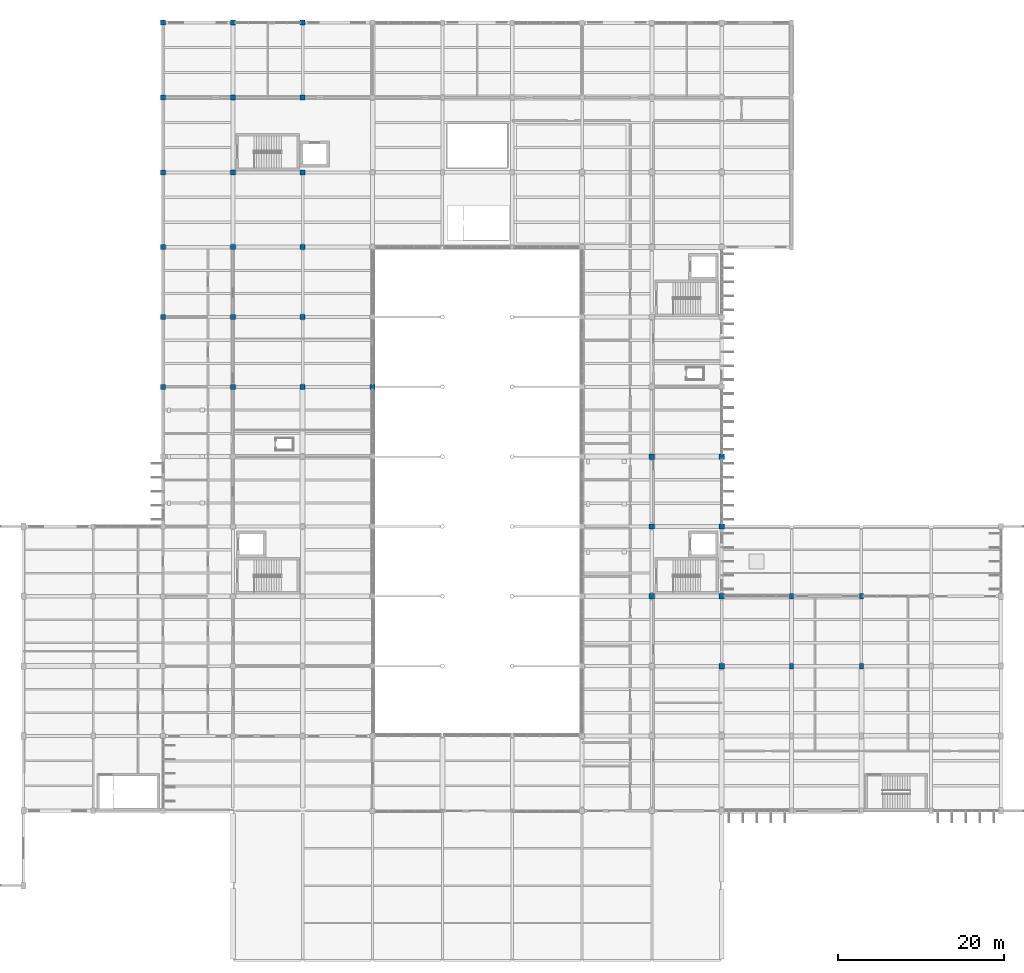
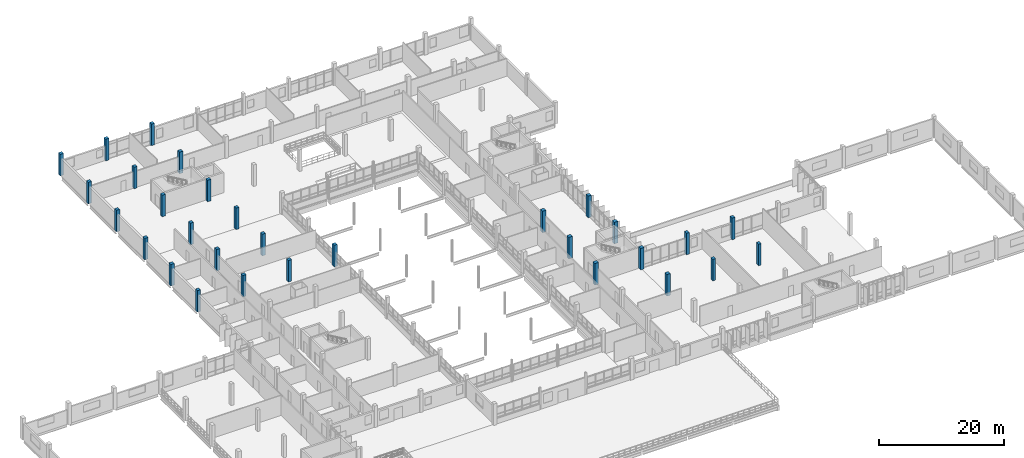
# One storey, part 5 of 101: 30 columns.
"""IFC4 building model written with IfcOpenShell, lengths in metres."""

from ifc_helpers import new_model, si_unit, direction, frame, origin, origin_2d, place, context, subcontext, project, spatial, rectangle, extrude, material, material_profile, profile_set, type_object, element, save


model = new_model("IFC4")

# Units and contexts
model_context = context("Model", 3, precision=1e-05, world=origin(), true_north=direction((0.0, 1.0)))
body_context = subcontext(model_context, "Body", "Model", "MODEL_VIEW")
ifc_project = project(units=[si_unit("LENGTHUNIT", "METRE"), si_unit("AREAUNIT", "SQUARE_METRE"), si_unit("VOLUMEUNIT", "CUBIC_METRE"), si_unit("PLANEANGLEUNIT", "RADIAN"), si_unit("MASSUNIT", "GRAM", prefix="KILO")], contexts=[model_context])

# Site, building, storey
site_placement = place(None, origin())
site = spatial("IfcSite", under=ifc_project, at=site_placement, CompositionType="ELEMENT")
building_placement = place(site_placement, origin())
building = spatial("IfcBuilding", under=site, at=building_placement, Name="Vireocrest Preparatory School", CompositionType="ELEMENT")
storey_placement = place(building_placement, frame((0.0, 0.0, 4.800048828125)))
storey = spatial("IfcBuildingStorey", under=building, at=storey_placement, Name="L01", CompositionType="ELEMENT", Elevation=4.800048828125)

# Columns
ifc_material = material(Name="Concrete 45 MPa", Category="concrete")
ifc_material_profile_1 = material_profile(ifc_material, rectangle(XDim=0.60009765625, YDim=0.60009765625, at=origin_2d()), Name="RC 600x600")
ifc_profile_set_1 = profile_set([ifc_material_profile_1], Name="Concrete 45 MPa")
column_type_1 = type_object("IfcColumnType", Name="RC Column 600x600", PredefinedType="COLUMN", material=ifc_profile_set_1)
for number, where, z_axis, x_axis, name in (
    (1, (42.0, 69.0, 0.0), (0.0, 0.0, 1.0), (1.0, 0.0, 0.0), "Column C05 L01 6/J"),
    (2, (42.0, 77.39990234375, 0.0), (0.0, 0.0, 1.0), (1.0, 0.0, 0.0), "Column C05 L01 6/K"),
    (3, (42.0, 85.800048828125, 0.0), (0.0, 0.0, 1.0), (1.0, 0.0, 0.0), "Column C05 L01 6/L"),
    (4, (42.0, 94.800048828125, 0.0), (0.0, 0.0, 1.0), (1.0, 0.0, 0.0), "Column C05 L01 6/M"),
    (5, (42.0, 103.800048828125, 0.0), (0.0, 0.0, 1.0), (1.0, 0.0, 0.0), "Column C05 L01 6/N"),
    (6, (42.0, 112.800048828125, 0.0), (0.0, 0.0, 1.0), (1.0, 0.0, 0.0), "Column C05 L01 6/P"),
    (7, (50.39990234375, 69.0, 0.0), (0.0, 0.0, 1.0), (1.0, 0.0, 0.0), "Column C05 L01 7/J"),
    (8, (50.39990234375, 77.39990234375, 0.0), (0.0, 0.0, 1.0), (1.0, 0.0, 0.0), "Column C05 L01 7/K"),
    (9, (50.39990234375, 85.800048828125, 0.0), (0.0, 0.0, 1.0), (1.0, 0.0, 0.0), "Column C05 L01 7/L"),
    (10, (50.39990234375, 94.800048828125, 0.0), (0.0, 0.0, 1.0), (1.0, 0.0, 0.0), "Column C05 L01 7/M"),
    (11, (50.39990234375, 103.800048828125, 0.0), (0.0, 0.0, 1.0), (1.0, 0.0, 0.0), "Column C05 L01 7/N"),
    (12, (50.39990234375, 112.800048828125, 0.0), (0.0, 0.0, 1.0), (1.0, 0.0, 0.0), "Column C05 L01 7/P"),
    (13, (58.800048828125, 69.0, 0.0), (0.0, 0.0, 1.0), (1.0, 0.0, 0.0), "Column C05 L01 8/J"),
    (14, (58.800048828125, 77.39990234375, 0.0), (0.0, 0.0, 1.0), (1.0, 0.0, 0.0), "Column C05 L01 8/K"),
    (15, (58.800048828125, 85.800048828125, 0.0), (0.0, 0.0, 1.0), (1.0, 0.0, 0.0), "Column C05 L01 8/L"),
    (16, (58.800048828125, 94.800048828125, 0.0), (0.0, 0.0, 1.0), (1.0, 0.0, 0.0), "Column C05 L01 8/M"),
    (17, (58.800048828125, 103.800048828125, 0.0), (0.0, 0.0, 1.0), (1.0, 0.0, 0.0), "Column C05 L01 8/N"),
    (18, (58.800048828125, 112.800048828125, 0.0), (0.0, 0.0, 1.0), (1.0, 0.0, 0.0), "Column C05 L01 8/P"),
    (19, (67.199951171875, 69.0, 0.0), (0.0, 0.0, 1.0), (1.0, 0.0, 0.0), "Column C05 L01 9/J"),
):
    element("IfcColumn", number, at=place(storey_placement, frame(where, z_axis=z_axis, x_axis=x_axis)), inside=storey, type_object=column_type_1, Name=name, PredefinedType="COLUMN", context=body_context, shape_type="SweptSolid", body=[
        extrude(rectangle(XDim=0.60009765625, YDim=0.60009765625, at=origin_2d()), origin(), (0.0, 0.0, 1.0), 4.199951171875),
    ])
ifc_material_profile_2 = material_profile(ifc_material, rectangle(XDim=0.64990234375, YDim=0.64990234375, at=origin_2d()), Name="RC 650x650")
ifc_profile_set_2 = profile_set([ifc_material_profile_2], Name="Concrete 45 MPa")
column_type_2 = type_object("IfcColumnType", Name="RC Column 650x650", PredefinedType="COLUMN", material=ifc_profile_set_2)
for number, where, z_axis, x_axis, name in (
    (20, (100.800048828125, 43.800048828125, 0.0), (0.0, 0.0, 1.0), (1.0, 0.0, 0.0), "Column C06 L01 13/F"),
    (21, (100.800048828125, 52.199951171875, 0.0), (0.0, 0.0, 1.0), (1.0, 0.0, 0.0), "Column C06 L01 13/G"),
    (22, (100.800048828125, 60.60009765625, 0.0), (0.0, 0.0, 1.0), (1.0, 0.0, 0.0), "Column C06 L01 13/H"),
    (23, (109.199951171875, 35.39990234375, 0.0), (0.0, 0.0, 1.0), (1.0, 0.0, 0.0), "Column C06 L01 14/E"),
    (24, (109.199951171875, 43.800048828125, 0.0), (0.0, 0.0, 1.0), (1.0, 0.0, 0.0), "Column C06 L01 14/F"),
    (25, (109.199951171875, 52.199951171875, 0.0), (0.0, 0.0, 1.0), (1.0, 0.0, 0.0), "Column C06 L01 14/G"),
    (26, (109.199951171875, 60.60009765625, 0.0), (0.0, 0.0, 1.0), (1.0, 0.0, 0.0), "Column C06 L01 14/H"),
):
    element("IfcColumn", number, at=place(storey_placement, frame(where, z_axis=z_axis, x_axis=x_axis)), inside=storey, type_object=column_type_2, Name=name, PredefinedType="COLUMN", context=body_context, shape_type="SweptSolid", body=[
        extrude(rectangle(XDim=0.64990234375, YDim=0.64990234375, at=origin_2d()), origin(), (0.0, 0.0, 1.0), 4.199951171875),
    ])
ifc_material_profile_3 = material_profile(ifc_material, rectangle(XDim=0.5, YDim=0.64990234375, at=origin_2d()), Name="RC 500x650")
ifc_profile_set_3 = profile_set([ifc_material_profile_3], Name="Concrete 45 MPa")
column_type_3 = type_object("IfcColumnType", Name="RC Hall Column 500x650", PredefinedType="COLUMN", material=ifc_profile_set_3)
for number, where, z_axis, x_axis, name in (
    (27, (117.60009765625, 35.39990234375, 0.0), (0.0, 0.0, 1.0), (1.0, 0.0, 0.0), "Column C11 L01 15/E"),
    (28, (117.60009765625, 43.800048828125, 0.0), (0.0, 0.0, 1.0), (1.0, 0.0, 0.0), "Column C11 L01 15/F"),
    (29, (126.0, 35.39990234375, 0.0), (0.0, 0.0, 1.0), (1.0, 0.0, 0.0), "Column C11 L01 16/E"),
    (30, (126.0, 43.800048828125, 0.0), (0.0, 0.0, 1.0), (1.0, 0.0, 0.0), "Column C11 L01 16/F"),
):
    element("IfcColumn", number, at=place(storey_placement, frame(where, z_axis=z_axis, x_axis=x_axis)), inside=storey, type_object=column_type_3, Name=name, PredefinedType="COLUMN", context=body_context, shape_type="SweptSolid", body=[
        extrude(rectangle(XDim=0.5, YDim=0.64990234375, at=origin_2d()), origin(), (0.0, 0.0, 1.0), 4.199951171875),
    ])

save(model, "model.ifc")
